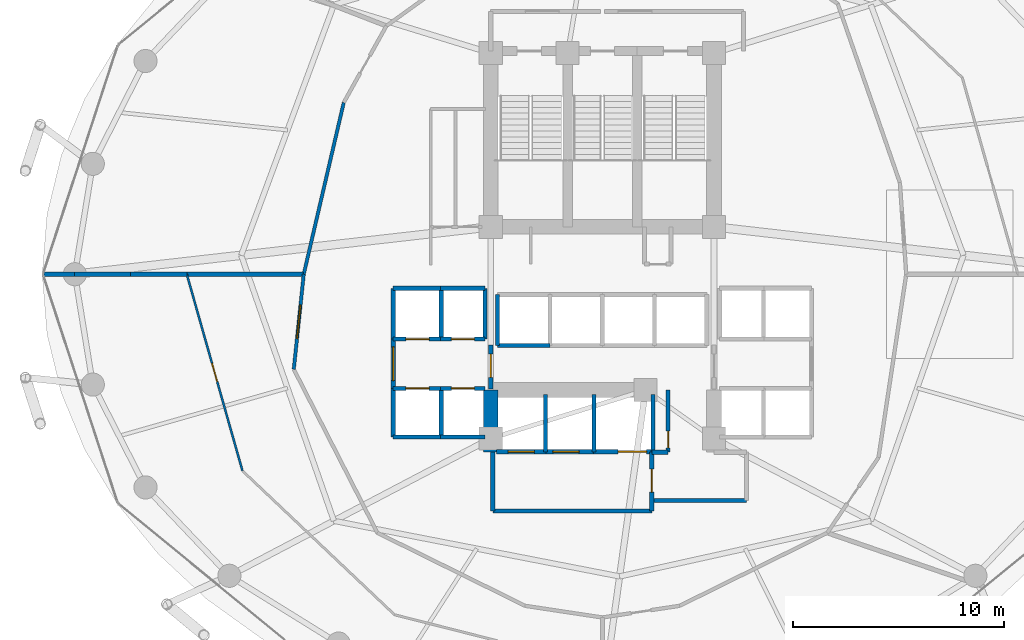
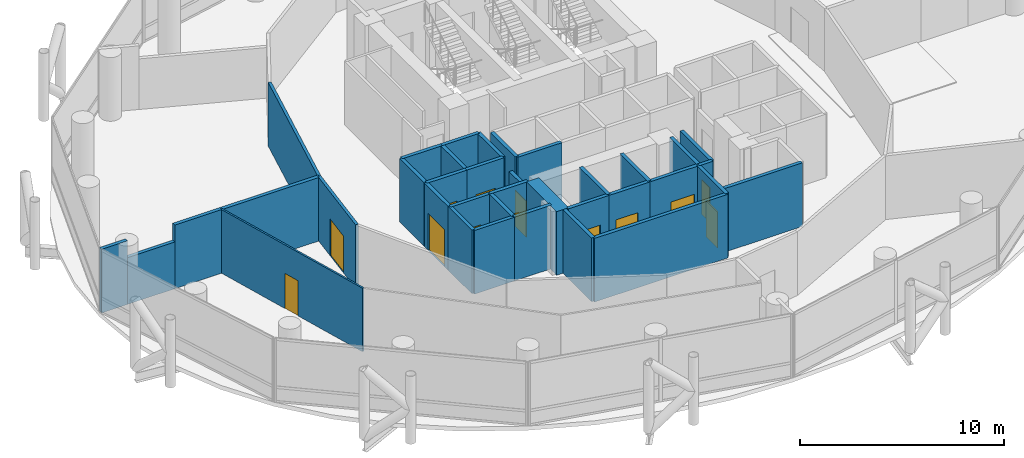
# One storey, part 21 of 24: 37 walls, 13 doors, 13 openings.
"""IFC4 building model written with IfcOpenShell, lengths in metres."""

from ifc_helpers import new_model, si_unit, direction, frame, frame_2d, origin, place, context, subcontext, project, spatial, rectangle, extrude, material, layer, layer_set, type_object, element, fill, save


model = new_model("IFC4")

# Units and contexts
model_context = context("Model", 3, precision=1e-05, world=origin(), true_north=direction((0.0, 1.0)))
body_context = subcontext(model_context, "Body", "Model", "MODEL_VIEW")
ifc_project = project(units=[si_unit("LENGTHUNIT", "METRE"), si_unit("AREAUNIT", "SQUARE_METRE"), si_unit("VOLUMEUNIT", "CUBIC_METRE"), si_unit("PLANEANGLEUNIT", "RADIAN"), si_unit("MASSUNIT", "GRAM", prefix="KILO")], contexts=[model_context])

# Site, building, storey
site_placement = place(None, origin())
site = spatial("IfcSite", under=ifc_project, at=site_placement, CompositionType="ELEMENT")
building_placement = place(site_placement, origin())
building = spatial("IfcBuilding", under=site, at=building_placement, Name="Nuhasar Tower", CompositionType="ELEMENT")
storey_placement = place(building_placement, frame((0.0, 0.0, 69.60009765625)))
storey = spatial("IfcBuildingStorey", under=building, at=storey_placement, Name="L16", CompositionType="ELEMENT", Elevation=69.60009765625)

# Walls
ifc_material_1 = material(Name="Concrete C65/80", Category="concrete")
ifc_layer_1 = layer(ifc_material_1, 0.699951171875)
ifc_layer_set_1 = layer_set([ifc_layer_1], Name="Concrete C65/80")
wall_type_1 = type_object("IfcWallType", Name="WL-CORE-700", PredefinedType="SHEAR", material=ifc_layer_set_1)
wall_1_placement = place(storey_placement, frame((33.699951171875, 18.35009765625, 0.0), z_axis=(0.0, 0.0, 1.0), x_axis=(0.0, 1.0, 0.0)))
element("IfcWall", 1, at=wall_1_placement, inside=storey, type_object=wall_type_1, Name="L16 Core Shear Wall CW-SW CW-700", PredefinedType="SHEAR", context=body_context, shape_type="SweptSolid", body=[
    extrude(rectangle(XDim=2.949951171875, YDim=0.699951171875, at=frame_2d((1.47509765625, 0.0))), origin(), (0.0, 0.0, 1.0), 3.7998046875),
])
ifc_material_2 = material(Name="Gypsum Board", Category="gypsum")
ifc_layer_2 = layer(ifc_material_2, 0.159912109375)
ifc_layer_set_2 = layer_set([ifc_layer_2], Name="Gypsum Board")
wall_type_2 = type_object("IfcWallType", Name="WL-CORR-160", PredefinedType="PARTITIONING", material=ifc_layer_set_2)
wall_2_placement = place(storey_placement, frame((26.719970703125, 34.949951171875, 0.0), z_axis=(0.0, 0.0, 1.0), x_axis=(-0.227032248212, -0.973887241046, 0.0)))
element("IfcWall", 2, at=wall_2_placement, inside=storey, type_object=wall_type_2, Name="L16 Interior Partition CORR-20", PredefinedType="PARTITIONING", context=body_context, shape_type="SweptSolid", body=[
    extrude(rectangle(XDim=8.368408203125, YDim=0.159912109375, at=frame_2d((4.18408203125, 0.0))), origin(), (0.0, 0.0, 1.0), 3.7998046875),
])

# Wall, opening, door
wall_3_placement = place(storey_placement, frame((24.346923828125, 22.287109375, 0.0), z_axis=(0.0, 0.0, 1.0), x_axis=(0.10427027099, 0.994548998586, 0.0)))
wall_3 = element("IfcWall", 3, at=wall_3_placement, inside=storey, type_object=wall_type_2, Name="L16 Interior Partition CORR-24", PredefinedType="PARTITIONING", context=body_context, shape_type="SweptSolid", body=[
    extrude(rectangle(XDim=4.53759765625, YDim=0.159912109375, at=frame_2d((2.268798828125, 0.0))), origin(), (0.0, 0.0, 1.0), 3.7998046875),
])
opening_1_placement = place(wall_3_placement, frame((1.468994140625, 0.0, 0.0)))
opening_1 = element("IfcOpeningElement", 4, at=opening_1_placement, cuts=wall_3, Name="Opening DC-01", PredefinedType="OPENING", context=body_context, shape_type="SweptSolid", body=[
    extrude(rectangle(XDim=1.60009765625, YDim=2.199951171875, at=frame_2d((0.800048828125, 1.10009765625))), frame((0.0, 0.08984375, 0.0), z_axis=(0.0, -1.0, 0.0), x_axis=(1.0, 0.0, 0.0)), (0.0, 0.0, 1.0), 0.179931640625),
])
ifc_material_3 = material(Name="Steel S355", Category="steel")
door_type_1 = type_object("IfcDoorType", Name="DR-CORR-FD60-1600", OperationType="DOUBLE_DOOR_SINGLE_SWING", PredefinedType="DOOR", material=ifc_material_3)
door_1_placement = place(opening_1_placement, origin())
door_1 = element("IfcDoor", 5, at=door_1_placement, inside=storey, type_object=door_type_1, Name="L16 West Software Engineering Office Entry Door", OperationType="DOUBLE_DOOR_SINGLE_SWING", OverallHeight=2.199951171875, OverallWidth=1.60009765625, PredefinedType="DOOR", context=body_context, shape_type="SweptSolid", body=[
    extrude(rectangle(XDim=1.60009765625, YDim=2.199951171875, at=frame_2d((0.800048828125, 1.10009765625))), frame((0.0, 0.02490234375, 0.0), z_axis=(0.0, -1.0, 0.0), x_axis=(1.0, 0.0, 0.0)), (0.0, 0.0, 1.0), 0.050048828125),
])
fill(opening_1, door_1)

ifc_material_4 = material(Name="Concrete C45/55", Category="concrete")
ifc_layer_3 = layer(ifc_material_4, 0.199951171875)
ifc_layer_set_3 = layer_set([ifc_layer_3], Name="Concrete C45/55")
wall_type_3 = type_object("IfcWallType", Name="WL-LOBBY-200", PredefinedType="SOLIDWALL", material=ifc_layer_set_3)
wall_4_placement = place(storey_placement, frame((29.070068359375, 21.3798828125, 0.0), z_axis=(0.0, 0.0, 1.0), x_axis=(0.0, 1.0, 0.0)))
wall_4 = element("IfcWall", 6, at=wall_4_placement, inside=storey, type_object=wall_type_3, Name="L16 Interior Partition LLBL-W", PredefinedType="SOLIDWALL", context=body_context, shape_type="SweptSolid", body=[
    extrude(rectangle(XDim=2.340087890625, YDim=0.199951171875, at=frame_2d((1.169921875, 0.0))), origin(), (0.0, 0.0, 1.0), 3.7998046875),
])
opening_2_placement = place(wall_4_placement, frame((0.3701171875, 0.0, 0.0)))
opening_2 = element("IfcOpeningElement", 7, at=opening_2_placement, cuts=wall_4, Name="Opening DC-01", PredefinedType="OPENING", context=body_context, shape_type="SweptSolid", body=[
    extrude(rectangle(XDim=1.60009765625, YDim=2.199951171875, at=frame_2d((0.800048828125, 1.10009765625))), frame((0.0, 0.10986328125, 0.0), z_axis=(0.0, -1.0, 0.0), x_axis=(1.0, 0.0, 0.0)), (0.0, 0.0, 1.0), 0.219970703125),
])
door_2_placement = place(opening_2_placement, origin())
door_2 = element("IfcDoor", 8, at=door_2_placement, inside=storey, type_object=door_type_1, Name="L16 Low-Rise Lift Lobby West Entry", OperationType="DOUBLE_DOOR_SINGLE_SWING", OverallHeight=2.199951171875, OverallWidth=1.60009765625, PredefinedType="DOOR", context=body_context, shape_type="SweptSolid", body=[
    extrude(rectangle(XDim=1.60009765625, YDim=2.199951171875, at=frame_2d((0.800048828125, 1.10009765625))), frame((0.0, 0.02490234375, 0.0), z_axis=(0.0, -1.0, 0.0), x_axis=(1.0, 0.0, 0.0)), (0.0, 0.0, 1.0), 0.050048828125),
])
fill(opening_2, door_2)

wall_5_placement = place(storey_placement, frame((33.699951171875, 21.35009765625, 0.0), z_axis=(0.0, 0.0, 1.0), x_axis=(0.0, 1.0, 0.0)))
wall_5 = element("IfcWall", 9, at=wall_5_placement, inside=storey, type_object=wall_type_3, Name="L16 Interior Partition LLBH-W", PredefinedType="SOLIDWALL", context=body_context, shape_type="SweptSolid", body=[
    extrude(rectangle(XDim=2.099853515625, YDim=0.199951171875, at=frame_2d((1.0498046875, 0.0))), origin(), (0.0, 0.0, 1.0), 3.02001953125),
])
opening_3_placement = place(wall_5_placement, frame((0.550048828125, 0.0, 0.0)))
opening_3 = element("IfcOpeningElement", 10, at=opening_3_placement, cuts=wall_5, Name="Opening DS-02", PredefinedType="OPENING", context=body_context, shape_type="SweptSolid", body=[
    extrude(rectangle(XDim=1.10009765625, YDim=2.14990234375, at=frame_2d((0.550048828125, 1.074951171875))), frame((0.0, 0.10986328125, 0.0), z_axis=(0.0, -1.0, 0.0), x_axis=(1.0, 0.0, 0.0)), (0.0, 0.0, 1.0), 0.219970703125),
])
door_type_2 = type_object("IfcDoorType", Name="DR-FFL-FD120-1100", OperationType="NOTDEFINED", PredefinedType="DOOR", material=ifc_material_3)
door_3_placement = place(opening_3_placement, origin())
door_3 = element("IfcDoor", 11, at=door_3_placement, inside=storey, type_object=door_type_2, Name="L16 High-Rise Lobby West Door", OperationType="SINGLE_SWING_RIGHT", OverallHeight=2.14990234375, OverallWidth=1.10009765625, PredefinedType="DOOR", context=body_context, shape_type="SweptSolid", body=[
    extrude(rectangle(XDim=1.10009765625, YDim=2.14990234375, at=frame_2d((0.550048828125, 1.074951171875))), frame((0.0, 0.02490234375, 0.0), z_axis=(0.0, -1.0, 0.0), x_axis=(1.0, 0.0, 0.0)), (0.0, 0.0, 1.0), 0.050048828125),
])
fill(opening_3, door_3)

# Walls
wall_6_placement = place(storey_placement, frame((33.800048828125, 15.550048828125, 0.0), z_axis=(0.0, 0.0, 1.0), x_axis=(1.0, 0.0, 0.0)))
element("IfcWall", 12, at=wall_6_placement, inside=storey, type_object=wall_type_3, Name="L16 Interior Partition FFL-S", PredefinedType="SOLIDWALL", context=body_context, shape_type="SweptSolid", body=[
    extrude(rectangle(XDim=7.550048828125, YDim=0.199951171875, at=frame_2d((3.77490234375, 0.0))), origin(), (0.0, 0.0, 1.0), 3.7998046875),
])
wall_7_placement = place(storey_placement, frame((33.800048828125, 15.550048828125, 0.0), z_axis=(0.0, 0.0, 1.0), x_axis=(0.0, 1.0, 0.0)))
element("IfcWall", 13, at=wall_7_placement, inside=storey, type_object=wall_type_3, Name="L16 Interior Partition FFL-W", PredefinedType="SOLIDWALL", context=body_context, shape_type="SweptSolid", body=[
    extrude(rectangle(XDim=2.800048828125, YDim=0.199951171875, at=frame_2d((1.39990234375, 0.0))), origin(), (0.0, 0.0, 1.0), 3.7998046875),
])

# Wall, opening, door
wall_8_placement = place(storey_placement, frame((41.35009765625, 15.550048828125, 0.0), z_axis=(0.0, 0.0, 1.0), x_axis=(0.0, 1.0, 0.0)))
wall_8 = element("IfcWall", 14, at=wall_8_placement, inside=storey, type_object=wall_type_3, Name="L16 Interior Partition FFL-E", PredefinedType="SOLIDWALL", context=body_context, shape_type="SweptSolid", body=[
    extrude(rectangle(XDim=2.800048828125, YDim=0.199951171875, at=frame_2d((1.39990234375, 0.0))), origin(), (0.0, 0.0, 1.0), 3.7998046875),
])
opening_4_placement = place(wall_8_placement, frame((0.89990234375, 0.0, 0.0)))
opening_4 = element("IfcOpeningElement", 15, at=opening_4_placement, cuts=wall_8, Name="Opening DS-02", PredefinedType="OPENING", context=body_context, shape_type="SweptSolid", body=[
    extrude(rectangle(XDim=1.10009765625, YDim=2.14990234375, at=frame_2d((0.550048828125, 1.074951171875))), frame((0.0, 0.10986328125, 0.0), z_axis=(0.0, -1.0, 0.0), x_axis=(1.0, 0.0, 0.0)), (0.0, 0.0, 1.0), 0.219970703125),
])
door_4_placement = place(opening_4_placement, origin())
door_4 = element("IfcDoor", 16, at=door_4_placement, inside=storey, type_object=door_type_2, Name="L16 Firefighting Lobby Door", OperationType="SINGLE_SWING_RIGHT", OverallHeight=2.14990234375, OverallWidth=1.10009765625, PredefinedType="DOOR", context=body_context, shape_type="SweptSolid", body=[
    extrude(rectangle(XDim=1.10009765625, YDim=2.14990234375, at=frame_2d((0.550048828125, 1.074951171875))), frame((0.0, 0.02490234375, 0.0), z_axis=(0.0, -1.0, 0.0), x_axis=(1.0, 0.0, 0.0)), (0.0, 0.0, 1.0), 0.050048828125),
])
fill(opening_4, door_4)

# Wall
wall_9_placement = place(storey_placement, frame((41.35009765625, 16.050048828125, 0.0), z_axis=(0.0, 0.0, 1.0), x_axis=(1.0, 0.0, 0.0)))
element("IfcWall", 17, at=wall_9_placement, inside=storey, type_object=wall_type_3, Name="L16 Interior Partition SVLV-S", PredefinedType="SOLIDWALL", context=body_context, shape_type="SweptSolid", body=[
    extrude(rectangle(XDim=4.5, YDim=0.199951171875, at=frame_2d((2.25, 0.0))), origin(), (0.0, 0.0, 1.0), 3.7998046875),
])

# Wall, opening, door
ifc_material_5 = material(Name="Aluminium 6063-T6", Category="aluminium")
ifc_layer_4 = layer(ifc_material_5, 0.10009765625)
ifc_layer_set_4 = layer_set([ifc_layer_4], Name="Aluminium 6063-T6")
wall_type_4 = type_object("IfcWallType", Name="WL-MOVABLE-100", PredefinedType="MOVABLE", material=ifc_layer_set_4)
wall_10_placement = place(storey_placement, frame((21.909912109375, 17.465087890625, 0.0), z_axis=(0.0, 0.0, 1.0), x_axis=(-0.272496972851, 0.962156639943, 0.0)))
wall_10 = element("IfcWall", 18, at=wall_10_placement, inside=storey, type_object=wall_type_4, Name="L16 Interior Partition OMID-04-24", PredefinedType="MOVABLE", context=body_context, shape_type="SweptSolid", body=[
    extrude(rectangle(XDim=9.7021484375, YDim=0.10009765625, at=frame_2d((4.85107421875, 0.0))), origin(), (0.0, 0.0, 1.0), 3.7998046875),
])
opening_5_placement = place(wall_10_placement, frame((4.40087890625, 0.0, 0.0)))
opening_5 = element("IfcOpeningElement", 19, at=opening_5_placement, cuts=wall_10, Name="Opening DR-01", PredefinedType="OPENING", context=body_context, shape_type="SweptSolid", body=[
    extrude(rectangle(XDim=0.89990234375, YDim=2.10009765625, at=frame_2d((0.449951171875, 1.050048828125))), frame((0.0, 0.06005859375, 0.0), z_axis=(0.0, -1.0, 0.0), x_axis=(1.0, 0.0, 0.0)), (0.0, 0.0, 1.0), 0.1201171875),
])
ifc_material_6 = material(Name="Timber Oak", Category="wood")
door_type_3 = type_object("IfcDoorType", Name="DR-ROOM-900", OperationType="NOTDEFINED", PredefinedType="DOOR", material=ifc_material_6)
door_5_placement = place(opening_5_placement, origin())
door_5 = element("IfcDoor", 20, at=door_5_placement, inside=storey, type_object=door_type_3, Name="L16 West Software Engineering Office Inner Door", OperationType="SINGLE_SWING_RIGHT", OverallHeight=2.10009765625, OverallWidth=0.89990234375, PredefinedType="DOOR", context=body_context, shape_type="SweptSolid", body=[
    extrude(rectangle(XDim=0.89990234375, YDim=2.10009765625, at=frame_2d((0.449951171875, 1.050048828125))), frame((0.0, 0.02490234375, 0.0), z_axis=(0.0, -1.0, 0.0), x_axis=(1.0, 0.0, 0.0)), (0.0, 0.0, 1.0), 0.050048828125),
])
fill(opening_5, door_5)

ifc_layer_5 = layer(ifc_material_4, 0.199951171875)
ifc_layer_set_5 = layer_set([ifc_layer_5], Name="Concrete C45/55")
wall_type_5 = type_object("IfcWallType", Name="WL-SHAFT-200", PredefinedType="SOLIDWALL", material=ifc_layer_set_5)
wall_11_placement = place(storey_placement, frame((29.070068359375, 23.719970703125, 0.0), z_axis=(0.0, 0.0, 1.0), x_axis=(1.0, 0.0, 0.0)))
wall_11 = element("IfcWall", 21, at=wall_11_placement, inside=storey, type_object=wall_type_5, Name="L16 Interior Partition SHF-PL-L01-S", PredefinedType="SOLIDWALL", context=body_context, shape_type="SweptSolid", body=[
    extrude(rectangle(XDim=2.309814453125, YDim=0.199951171875, at=frame_2d((1.15478515625, 0.0))), origin(), (0.0, 0.0, 1.0), 3.7998046875),
])
opening_6_placement = place(wall_11_placement, frame((0.60498046875, 0.0, 0.0)))
opening_6 = element("IfcOpeningElement", 22, at=opening_6_placement, cuts=wall_11, Name="Opening LD-L01", PredefinedType="OPENING", context=body_context, shape_type="SweptSolid", body=[
    extrude(rectangle(XDim=1.10009765625, YDim=2.14990234375, at=frame_2d((0.550048828125, 1.074951171875))), frame((0.0, 0.10986328125, 0.0), z_axis=(0.0, -1.0, 0.0), x_axis=(1.0, 0.0, 0.0)), (0.0, 0.0, 1.0), 0.219970703125),
])
ifc_material_7 = material(Name="Stainless Steel 316L", Category="steel")
door_type_4 = type_object("IfcDoorType", Name="LD-PAX-1100", OperationType="DOUBLE_DOOR_SLIDING", PredefinedType="DOOR", material=ifc_material_7)
door_6_placement = place(opening_6_placement, origin())
door_6 = element("IfcDoor", 23, at=door_6_placement, inside=storey, type_object=door_type_4, Name="L16 Lift Landing Door PL-L01", OperationType="DOUBLE_DOOR_SLIDING", OverallHeight=2.14990234375, OverallWidth=1.10009765625, PredefinedType="DOOR", context=body_context, shape_type="SweptSolid", body=[
    extrude(rectangle(XDim=1.10009765625, YDim=2.14990234375, at=frame_2d((0.550048828125, 1.074951171875))), frame((0.0, 0.02490234375, 0.0), z_axis=(0.0, -1.0, 0.0), x_axis=(1.0, 0.0, 0.0)), (0.0, 0.0, 1.0), 0.050048828125),
])
fill(opening_6, door_6)

# Walls
wall_12_placement = place(storey_placement, frame((29.070068359375, 26.1298828125, 0.0), z_axis=(0.0, 0.0, 1.0), x_axis=(1.0, 0.0, 0.0)))
element("IfcWall", 24, at=wall_12_placement, inside=storey, type_object=wall_type_5, Name="L16 Interior Partition SHF-PL-L01-N", PredefinedType="SOLIDWALL", context=body_context, shape_type="SweptSolid", body=[
    extrude(rectangle(XDim=2.309814453125, YDim=0.199951171875, at=frame_2d((1.15478515625, 0.0))), origin(), (0.0, 0.0, 1.0), 3.7998046875),
])
for number, where, z_axis, x_axis, name in (
    (25, (29.070068359375, 23.719970703125, 0.0), (0.0, 0.0, 1.0), (0.0, 1.0, 0.0), "L16 Interior Partition SHF-PL-L01-W"),
    (26, (31.35009765625, 23.719970703125, 0.0), (0.0, 0.0, 1.0), (0.0, 1.0, 0.0), "L16 Interior Partition SHF-PL-L01-E"),
):
    element("IfcWall", number, at=place(storey_placement, frame(where, z_axis=z_axis, x_axis=x_axis)), inside=storey, type_object=wall_type_5, Name=name, PredefinedType="SOLIDWALL", context=body_context, shape_type="SweptSolid", body=[
        extrude(rectangle(XDim=2.409912109375, YDim=0.199951171875, at=frame_2d((1.205078125, 0.0))), origin(), (0.0, 0.0, 1.0), 3.7998046875),
    ])

# Wall, opening, door
wall_13_placement = place(storey_placement, frame((31.320068359375, 23.719970703125, 0.0), z_axis=(0.0, 0.0, 1.0), x_axis=(1.0, 0.0, 0.0)))
wall_13 = element("IfcWall", 27, at=wall_13_placement, inside=storey, type_object=wall_type_5, Name="L16 Interior Partition SHF-PL-L02-S", PredefinedType="SOLIDWALL", context=body_context, shape_type="SweptSolid", body=[
    extrude(rectangle(XDim=2.10986328125, YDim=0.199951171875, at=frame_2d((1.054931640625, 0.0))), origin(), (0.0, 0.0, 1.0), 3.7998046875),
])
opening_7_placement = place(wall_13_placement, frame((0.5048828125, 0.0, 0.0)))
opening_7 = element("IfcOpeningElement", 28, at=opening_7_placement, cuts=wall_13, Name="Opening LD-L02", PredefinedType="OPENING", context=body_context, shape_type="SweptSolid", body=[
    extrude(rectangle(XDim=1.10009765625, YDim=2.14990234375, at=frame_2d((0.550048828125, 1.074951171875))), frame((0.0, 0.10986328125, 0.0), z_axis=(0.0, -1.0, 0.0), x_axis=(1.0, 0.0, 0.0)), (0.0, 0.0, 1.0), 0.219970703125),
])
door_7_placement = place(opening_7_placement, origin())
door_7 = element("IfcDoor", 29, at=door_7_placement, inside=storey, type_object=door_type_4, Name="L16 Lift Landing Door PL-L02", OperationType="DOUBLE_DOOR_SLIDING", OverallHeight=2.14990234375, OverallWidth=1.10009765625, PredefinedType="DOOR", context=body_context, shape_type="SweptSolid", body=[
    extrude(rectangle(XDim=1.10009765625, YDim=2.14990234375, at=frame_2d((0.550048828125, 1.074951171875))), frame((0.0, 0.02490234375, 0.0), z_axis=(0.0, -1.0, 0.0), x_axis=(1.0, 0.0, 0.0)), (0.0, 0.0, 1.0), 0.050048828125),
])
fill(opening_7, door_7)

# Walls
wall_14_placement = place(storey_placement, frame((31.320068359375, 26.1298828125, 0.0), z_axis=(0.0, 0.0, 1.0), x_axis=(1.0, 0.0, 0.0)))
element("IfcWall", 30, at=wall_14_placement, inside=storey, type_object=wall_type_5, Name="L16 Interior Partition SHF-PL-L02-N", PredefinedType="SOLIDWALL", context=body_context, shape_type="SweptSolid", body=[
    extrude(rectangle(XDim=2.10986328125, YDim=0.199951171875, at=frame_2d((1.054931640625, 0.0))), origin(), (0.0, 0.0, 1.0), 3.7998046875),
])
wall_15_placement = place(storey_placement, frame((33.429931640625, 23.719970703125, 0.0), z_axis=(0.0, 0.0, 1.0), x_axis=(0.0, 1.0, 0.0)))
element("IfcWall", 31, at=wall_15_placement, inside=storey, type_object=wall_type_5, Name="L16 Interior Partition SHF-PL-L02-E", PredefinedType="SOLIDWALL", context=body_context, shape_type="SweptSolid", body=[
    extrude(rectangle(XDim=2.409912109375, YDim=0.199951171875, at=frame_2d((1.205078125, 0.0))), origin(), (0.0, 0.0, 1.0), 3.7998046875),
])
wall_16_placement = place(storey_placement, frame((29.070068359375, 19.070068359375, 0.0), z_axis=(0.0, 0.0, 1.0), x_axis=(1.0, 0.0, 0.0)))
element("IfcWall", 32, at=wall_16_placement, inside=storey, type_object=wall_type_5, Name="L16 Interior Partition SHF-PL-L03-S", PredefinedType="SOLIDWALL", context=body_context, shape_type="SweptSolid", body=[
    extrude(rectangle(XDim=2.309814453125, YDim=0.199951171875, at=frame_2d((1.15478515625, 0.0))), origin(), (0.0, 0.0, 1.0), 3.7998046875),
])

# Wall, opening, door
wall_17_placement = place(storey_placement, frame((29.070068359375, 21.3798828125, 0.0), z_axis=(0.0, 0.0, 1.0), x_axis=(1.0, 0.0, 0.0)))
wall_17 = element("IfcWall", 33, at=wall_17_placement, inside=storey, type_object=wall_type_5, Name="L16 Interior Partition SHF-PL-L03-N", PredefinedType="SOLIDWALL", context=body_context, shape_type="SweptSolid", body=[
    extrude(rectangle(XDim=2.309814453125, YDim=0.199951171875, at=frame_2d((1.15478515625, 0.0))), origin(), (0.0, 0.0, 1.0), 3.7998046875),
])
opening_8_placement = place(wall_17_placement, frame((0.60498046875, 0.0, 0.0)))
opening_8 = element("IfcOpeningElement", 34, at=opening_8_placement, cuts=wall_17, Name="Opening LD-L03", PredefinedType="OPENING", context=body_context, shape_type="SweptSolid", body=[
    extrude(rectangle(XDim=1.10009765625, YDim=2.14990234375, at=frame_2d((0.550048828125, 1.074951171875))), frame((0.0, 0.10986328125, 0.0), z_axis=(0.0, -1.0, 0.0), x_axis=(1.0, 0.0, 0.0)), (0.0, 0.0, 1.0), 0.219970703125),
])
door_8_placement = place(opening_8_placement, origin())
door_8 = element("IfcDoor", 35, at=door_8_placement, inside=storey, type_object=door_type_4, Name="L16 Lift Landing Door PL-L03", OperationType="DOUBLE_DOOR_SLIDING", OverallHeight=2.14990234375, OverallWidth=1.10009765625, PredefinedType="DOOR", context=body_context, shape_type="SweptSolid", body=[
    extrude(rectangle(XDim=1.10009765625, YDim=2.14990234375, at=frame_2d((0.550048828125, 1.074951171875))), frame((0.0, 0.02490234375, 0.0), z_axis=(0.0, -1.0, 0.0), x_axis=(1.0, 0.0, 0.0)), (0.0, 0.0, 1.0), 0.050048828125),
])
fill(opening_8, door_8)

# Walls
for number, where, z_axis, x_axis, name in (
    (36, (29.070068359375, 19.070068359375, 0.0), (0.0, 0.0, 1.0), (0.0, 1.0, 0.0), "L16 Interior Partition SHF-PL-L03-W"),
    (37, (31.35009765625, 19.070068359375, 0.0), (0.0, 0.0, 1.0), (0.0, 1.0, 0.0), "L16 Interior Partition SHF-PL-L03-E"),
):
    element("IfcWall", number, at=place(storey_placement, frame(where, z_axis=z_axis, x_axis=x_axis)), inside=storey, type_object=wall_type_5, Name=name, PredefinedType="SOLIDWALL", context=body_context, shape_type="SweptSolid", body=[
        extrude(rectangle(XDim=2.309814453125, YDim=0.199951171875, at=frame_2d((1.15478515625, 0.0))), origin(), (0.0, 0.0, 1.0), 3.7998046875),
    ])
wall_18_placement = place(storey_placement, frame((31.320068359375, 19.070068359375, 0.0), z_axis=(0.0, 0.0, 1.0), x_axis=(1.0, 0.0, 0.0)))
element("IfcWall", 38, at=wall_18_placement, inside=storey, type_object=wall_type_5, Name="L16 Interior Partition SHF-PL-L04-S", PredefinedType="SOLIDWALL", context=body_context, shape_type="SweptSolid", body=[
    extrude(rectangle(XDim=2.10986328125, YDim=0.199951171875, at=frame_2d((1.054931640625, 0.0))), origin(), (0.0, 0.0, 1.0), 3.7998046875),
])

# Wall, opening, door
wall_19_placement = place(storey_placement, frame((31.320068359375, 21.3798828125, 0.0), z_axis=(0.0, 0.0, 1.0), x_axis=(1.0, 0.0, 0.0)))
wall_19 = element("IfcWall", 39, at=wall_19_placement, inside=storey, type_object=wall_type_5, Name="L16 Interior Partition SHF-PL-L04-N", PredefinedType="SOLIDWALL", context=body_context, shape_type="SweptSolid", body=[
    extrude(rectangle(XDim=2.10986328125, YDim=0.199951171875, at=frame_2d((1.054931640625, 0.0))), origin(), (0.0, 0.0, 1.0), 3.7998046875),
])
opening_9_placement = place(wall_19_placement, frame((0.5048828125, 0.0, 0.0)))
opening_9 = element("IfcOpeningElement", 40, at=opening_9_placement, cuts=wall_19, Name="Opening LD-L04", PredefinedType="OPENING", context=body_context, shape_type="SweptSolid", body=[
    extrude(rectangle(XDim=1.10009765625, YDim=2.14990234375, at=frame_2d((0.550048828125, 1.074951171875))), frame((0.0, 0.10986328125, 0.0), z_axis=(0.0, -1.0, 0.0), x_axis=(1.0, 0.0, 0.0)), (0.0, 0.0, 1.0), 0.219970703125),
])
door_9_placement = place(opening_9_placement, origin())
door_9 = element("IfcDoor", 41, at=door_9_placement, inside=storey, type_object=door_type_4, Name="L16 Lift Landing Door PL-L04", OperationType="DOUBLE_DOOR_SLIDING", OverallHeight=2.14990234375, OverallWidth=1.10009765625, PredefinedType="DOOR", context=body_context, shape_type="SweptSolid", body=[
    extrude(rectangle(XDim=1.10009765625, YDim=2.14990234375, at=frame_2d((0.550048828125, 1.074951171875))), frame((0.0, 0.02490234375, 0.0), z_axis=(0.0, -1.0, 0.0), x_axis=(1.0, 0.0, 0.0)), (0.0, 0.0, 1.0), 0.050048828125),
])
fill(opening_9, door_9)

# Walls
wall_20_placement = place(storey_placement, frame((34.02001953125, 23.419921875, 0.0), z_axis=(0.0, 0.0, 1.0), x_axis=(1.0, 0.0, 0.0)))
element("IfcWall", 42, at=wall_20_placement, inside=storey, type_object=wall_type_5, Name="L16 Interior Partition SHF-PL-H01-S", PredefinedType="SOLIDWALL", context=body_context, shape_type="SweptSolid", body=[
    extrude(rectangle(XDim=2.5, YDim=0.199951171875, at=frame_2d((1.25, 0.0))), origin(), (0.0, 0.0, 1.0), 3.7998046875),
])
wall_21_placement = place(storey_placement, frame((34.02001953125, 23.419921875, 0.0), z_axis=(0.0, 0.0, 1.0), x_axis=(0.0, 1.0, 0.0)))
element("IfcWall", 43, at=wall_21_placement, inside=storey, type_object=wall_type_5, Name="L16 Interior Partition SHF-PL-H01-W", PredefinedType="SOLIDWALL", context=body_context, shape_type="SweptSolid", body=[
    extrude(rectangle(XDim=2.41015625, YDim=0.199951171875, at=frame_2d((1.205078125, 0.0))), origin(), (0.0, 0.0, 1.0), 3.7998046875),
])

# Wall, opening, door
wall_22_placement = place(storey_placement, frame((33.969970703125, 18.3701171875, 0.0), z_axis=(0.0, 0.0, 1.0), x_axis=(1.0, 0.0, 0.0)))
wall_22 = element("IfcWall", 44, at=wall_22_placement, inside=storey, type_object=wall_type_5, Name="L16 Interior Partition SHF-FFL-01-S", PredefinedType="SOLIDWALL", context=body_context, shape_type="SweptSolid", body=[
    extrude(rectangle(XDim=2.360107421875, YDim=0.199951171875, at=frame_2d((1.18017578125, 0.0))), origin(), (0.0, 0.0, 1.0), 3.7998046875),
])
opening_10_placement = place(wall_22_placement, frame((0.554931640625, 0.0, 0.0)))
opening_10 = element("IfcOpeningElement", 45, at=opening_10_placement, cuts=wall_22, Name="Opening LD-F01", PredefinedType="OPENING", context=body_context, shape_type="SweptSolid", body=[
    extrude(rectangle(XDim=1.25, YDim=2.199951171875, at=frame_2d((0.625, 1.10009765625))), frame((0.0, 0.10986328125, 0.0), z_axis=(0.0, -1.0, 0.0), x_axis=(1.0, 0.0, 0.0)), (0.0, 0.0, 1.0), 0.219970703125),
])
door_type_5 = type_object("IfcDoorType", Name="LD-FFL-1250", OperationType="DOUBLE_DOOR_SLIDING", PredefinedType="DOOR", material=ifc_material_7)
door_10_placement = place(opening_10_placement, origin())
door_10 = element("IfcDoor", 46, at=door_10_placement, inside=storey, type_object=door_type_5, Name="L16 Lift Landing Door FFL-01", OperationType="DOUBLE_DOOR_SLIDING", OverallHeight=2.199951171875, OverallWidth=1.25, PredefinedType="DOOR", context=body_context, shape_type="SweptSolid", body=[
    extrude(rectangle(XDim=1.25, YDim=2.199951171875, at=frame_2d((0.625, 1.10009765625))), frame((0.0, 0.02490234375, 0.0), z_axis=(0.0, -1.0, 0.0), x_axis=(1.0, 0.0, 0.0)), (0.0, 0.0, 1.0), 0.050048828125),
])
fill(opening_10, door_10)

# Wall
wall_23_placement = place(storey_placement, frame((36.300048828125, 18.3701171875, 0.0), z_axis=(0.0, 0.0, 1.0), x_axis=(0.0, 1.0, 0.0)))
element("IfcWall", 47, at=wall_23_placement, inside=storey, type_object=wall_type_5, Name="L16 Interior Partition SHF-FFL-01-E", PredefinedType="SOLIDWALL", context=body_context, shape_type="SweptSolid", body=[
    extrude(rectangle(XDim=2.7099609375, YDim=0.199951171875, at=frame_2d((1.35498046875, 0.0))), origin(), (0.0, 0.0, 1.0), 3.7998046875),
])

# Wall, opening, door
wall_24_placement = place(storey_placement, frame((36.27001953125, 18.3701171875, 0.0), z_axis=(0.0, 0.0, 1.0), x_axis=(1.0, 0.0, 0.0)))
wall_24 = element("IfcWall", 48, at=wall_24_placement, inside=storey, type_object=wall_type_5, Name="L16 Interior Partition SHF-FFL-02-S", PredefinedType="SOLIDWALL", context=body_context, shape_type="SweptSolid", body=[
    extrude(rectangle(XDim=2.35986328125, YDim=0.199951171875, at=frame_2d((1.179931640625, 0.0))), origin(), (0.0, 0.0, 1.0), 3.7998046875),
])
opening_11_placement = place(wall_24_placement, frame((0.3798828125, 0.0, 0.0)))
opening_11 = element("IfcOpeningElement", 49, at=opening_11_placement, cuts=wall_24, Name="Opening LD-F02", PredefinedType="OPENING", context=body_context, shape_type="SweptSolid", body=[
    extrude(rectangle(XDim=1.25, YDim=2.199951171875, at=frame_2d((0.625, 1.10009765625))), frame((0.0, 0.10986328125, 0.0), z_axis=(0.0, -1.0, 0.0), x_axis=(1.0, 0.0, 0.0)), (0.0, 0.0, 1.0), 0.219970703125),
])
door_11_placement = place(opening_11_placement, origin())
door_11 = element("IfcDoor", 50, at=door_11_placement, inside=storey, type_object=door_type_5, Name="L16 Lift Landing Door FFL-02", OperationType="DOUBLE_DOOR_SLIDING", OverallHeight=2.199951171875, OverallWidth=1.25, PredefinedType="DOOR", context=body_context, shape_type="SweptSolid", body=[
    extrude(rectangle(XDim=1.25, YDim=2.199951171875, at=frame_2d((0.625, 1.10009765625))), frame((0.0, 0.02490234375, 0.0), z_axis=(0.0, -1.0, 0.0), x_axis=(1.0, 0.0, 0.0)), (0.0, 0.0, 1.0), 0.050048828125),
])
fill(opening_11, door_11)

# Wall
wall_25_placement = place(storey_placement, frame((38.60009765625, 18.3701171875, 0.0), z_axis=(0.0, 0.0, 1.0), x_axis=(0.0, 1.0, 0.0)))
element("IfcWall", 51, at=wall_25_placement, inside=storey, type_object=wall_type_5, Name="L16 Interior Partition SHF-FFL-02-E", PredefinedType="SOLIDWALL", context=body_context, shape_type="SweptSolid", body=[
    extrude(rectangle(XDim=2.7099609375, YDim=0.199951171875, at=frame_2d((1.35498046875, 0.0))), origin(), (0.0, 0.0, 1.0), 3.7998046875),
])

# Wall, opening, door
wall_26_placement = place(storey_placement, frame((38.570068359375, 18.3701171875, 0.0), z_axis=(0.0, 0.0, 1.0), x_axis=(1.0, 0.0, 0.0)))
wall_26 = element("IfcWall", 52, at=wall_26_placement, inside=storey, type_object=wall_type_5, Name="L16 Interior Partition SHF-SVL-01-S", PredefinedType="SOLIDWALL", context=body_context, shape_type="SweptSolid", body=[
    extrude(rectangle(XDim=2.829833984375, YDim=0.199951171875, at=frame_2d((1.4150390625, 0.0))), origin(), (0.0, 0.0, 1.0), 3.7998046875),
])
opening_12_placement = place(wall_26_placement, frame((1.179931640625, 0.0, 0.0)))
opening_12 = element("IfcOpeningElement", 53, at=opening_12_placement, cuts=wall_26, Name="Opening LD-S01", PredefinedType="OPENING", context=body_context, shape_type="SweptSolid", body=[
    extrude(rectangle(XDim=1.35009765625, YDim=2.179931640625, at=frame_2d((0.675048828125, 1.08984375))), frame((0.0, 0.10986328125, 0.0), z_axis=(0.0, -1.0, 0.0), x_axis=(1.0, 0.0, 0.0)), (0.0, 0.0, 1.0), 0.219970703125),
])
door_type_6 = type_object("IfcDoorType", Name="LD-SVL-1350", OperationType="DOUBLE_DOOR_SLIDING", PredefinedType="DOOR", material=ifc_material_7)
door_12_placement = place(opening_12_placement, origin())
door_12 = element("IfcDoor", 54, at=door_12_placement, inside=storey, type_object=door_type_6, Name="L16 Lift Landing Door SVL-01", OperationType="DOUBLE_DOOR_SLIDING", OverallHeight=2.179931640625, OverallWidth=1.35009765625, PredefinedType="DOOR", context=body_context, shape_type="SweptSolid", body=[
    extrude(rectangle(XDim=1.35009765625, YDim=2.179931640625, at=frame_2d((0.675048828125, 1.08984375))), frame((0.0, 0.02490234375, 0.0), z_axis=(0.0, -1.0, 0.0), x_axis=(1.0, 0.0, 0.0)), (0.0, 0.0, 1.0), 0.050048828125),
])
fill(opening_12, door_12)

# Wall
wall_27_placement = place(storey_placement, frame((41.39990234375, 18.3701171875, 0.0), z_axis=(0.0, 0.0, 1.0), x_axis=(0.0, 1.0, 0.0)))
element("IfcWall", 55, at=wall_27_placement, inside=storey, type_object=wall_type_5, Name="L16 Interior Partition SHF-SVL-01-E", PredefinedType="SOLIDWALL", context=body_context, shape_type="SweptSolid", body=[
    extrude(rectangle(XDim=2.7099609375, YDim=0.199951171875, at=frame_2d((1.35498046875, 0.0))), origin(), (0.0, 0.0, 1.0), 3.7998046875),
])

# Wall, opening, door
wall_28_placement = place(storey_placement, frame((42.1201171875, 18.35009765625, 0.0), z_axis=(0.0, 0.0, 1.0), x_axis=(0.0, 1.0, 0.0)))
wall_28 = element("IfcWall", 56, at=wall_28_placement, inside=storey, type_object=wall_type_5, Name="L16 Interior Partition RSR-E", PredefinedType="SOLIDWALL", context=body_context, shape_type="SweptSolid", body=[
    extrude(rectangle(XDim=2.949951171875, YDim=0.199951171875, at=frame_2d((1.47509765625, 0.0))), origin(), (0.0, 0.0, 1.0), 3.7998046875),
])
opening_13_placement = place(wall_28_placement, frame((0.199951171875, 0.0, 0.0)))
opening_13 = element("IfcOpeningElement", 57, at=opening_13_placement, cuts=wall_28, Name="Opening DM-01", PredefinedType="OPENING", context=body_context, shape_type="SweptSolid", body=[
    extrude(rectangle(XDim=0.800048828125, YDim=2.050048828125, at=frame_2d((0.39990234375, 1.02490234375))), frame((0.0, 0.10986328125, 0.0), z_axis=(0.0, -1.0, 0.0), x_axis=(1.0, 0.0, 0.0)), (0.0, 0.0, 1.0), 0.219970703125),
])
door_type_7 = type_object("IfcDoorType", Name="DR-RISER-FD60-800", OperationType="NOTDEFINED", PredefinedType="DOOR", material=ifc_material_3)
door_13_placement = place(opening_13_placement, origin())
door_13 = element("IfcDoor", 58, at=door_13_placement, inside=storey, type_object=door_type_7, Name="L16 MEP Riser Access Door", OperationType="SINGLE_SWING_LEFT", OverallHeight=2.050048828125, OverallWidth=0.800048828125, PredefinedType="DOOR", context=body_context, shape_type="SweptSolid", body=[
    extrude(rectangle(XDim=0.800048828125, YDim=2.050048828125, at=frame_2d((0.39990234375, 1.02490234375))), frame((0.0, 0.02490234375, 0.0), z_axis=(0.0, -1.0, 0.0), x_axis=(1.0, 0.0, 0.0)), (0.0, 0.0, 1.0), 0.050048828125),
])
fill(opening_13, door_13)

# Walls
wall_29_placement = place(storey_placement, frame((41.35009765625, 18.35009765625, 0.0), z_axis=(0.0, 0.0, 1.0), x_axis=(1.0, 0.0, 0.0)))
element("IfcWall", 59, at=wall_29_placement, inside=storey, type_object=wall_type_5, Name="L16 Interior Partition RSR-S", PredefinedType="SOLIDWALL", context=body_context, shape_type="SweptSolid", body=[
    extrude(rectangle(XDim=0.77001953125, YDim=0.199951171875, at=frame_2d((0.385009765625, 0.0))), origin(), (0.0, 0.0, 1.0), 3.7998046875),
])
ifc_material_8 = material(Name="Concrete C40/50 precast", Category="concrete")
ifc_layer_6 = layer(ifc_material_8, 0.199951171875)
ifc_layer_set_6 = layer_set([ifc_layer_6], Name="Concrete C40/50 precast")
wall_type_6 = type_object("IfcWallType", Name="WL-UNIT-200", PredefinedType="PARTITIONING", material=ifc_layer_set_6)
wall_30_placement = place(storey_placement, frame((24.820068359375, 26.800048828125, 0.0), z_axis=(0.0, 0.0, 1.0), x_axis=(-1.0, 0.0, 0.0)))
element("IfcWall", 60, at=wall_30_placement, inside=storey, type_object=wall_type_6, Name="L16 Interior Partition ORAD-24-S1", PredefinedType="PARTITIONING", context=body_context, shape_type="SweptSolid", body=[
    extrude(rectangle(XDim=5.553955078125, YDim=0.199951171875, at=frame_2d((2.77685546875, 0.0))), origin(), (0.0, 0.0, 1.0), 3.7998046875),
])
wall_31_placement = place(storey_placement, frame((19.26611328125, 26.800048828125, 0.0), z_axis=(0.0, 0.0, 1.0), x_axis=(-1.0, 0.0, 0.0)))
element("IfcWall", 61, at=wall_31_placement, inside=storey, type_object=wall_type_6, Name="L16 Interior Partition ORAD-24-S2", PredefinedType="PARTITIONING", context=body_context, shape_type="SweptSolid", body=[
    extrude(rectangle(XDim=2.6669921875, YDim=0.199951171875, at=frame_2d((1.33349609375, 0.0))), origin(), (0.0, 0.0, 1.0), 3.7998046875),
])
wall_32_placement = place(storey_placement, frame((16.59912109375, 26.800048828125, 0.0), z_axis=(0.0, 0.0, 1.0), x_axis=(-1.0, 0.0, 0.0)))
element("IfcWall", 62, at=wall_32_placement, inside=storey, type_object=wall_type_6, Name="L16 Interior Partition ORAD-24-S2", PredefinedType="PARTITIONING", context=body_context, shape_type="SweptSolid", body=[
    extrude(rectangle(XDim=2.66015625, YDim=0.199951171875, at=frame_2d((1.330078125, 0.0))), origin(), (0.0, 0.0, 1.0), 2.789794921875),
])
wall_33_placement = place(storey_placement, frame((13.93896484375, 26.800048828125, 0.0), z_axis=(0.0, 0.0, 1.0), x_axis=(-1.0, 0.0, 0.0)))
element("IfcWall", 63, at=wall_33_placement, inside=storey, type_object=wall_type_6, Name="L16 Interior Partition ORAD-24-S2", PredefinedType="PARTITIONING", context=body_context, shape_type="SweptSolid", body=[
    extrude(rectangle(XDim=1.4638671875, YDim=0.199951171875, at=frame_2d((0.73193359375, 0.0))), origin(), (0.0, 0.0, 1.0), 3.7998046875),
])

save(model, "model.ifc")
